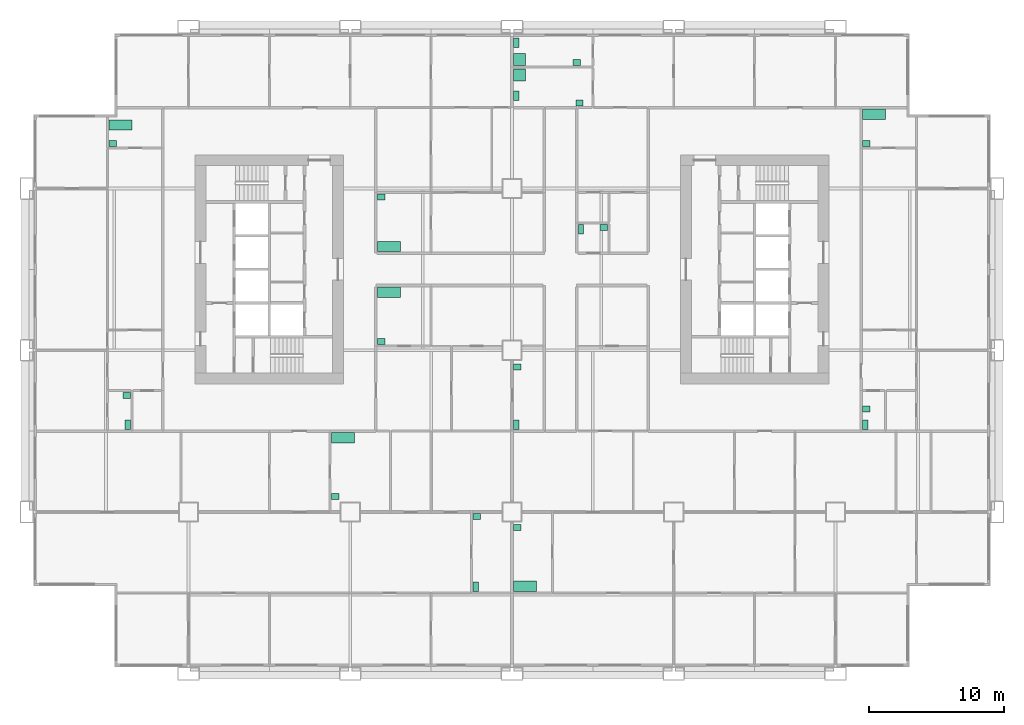
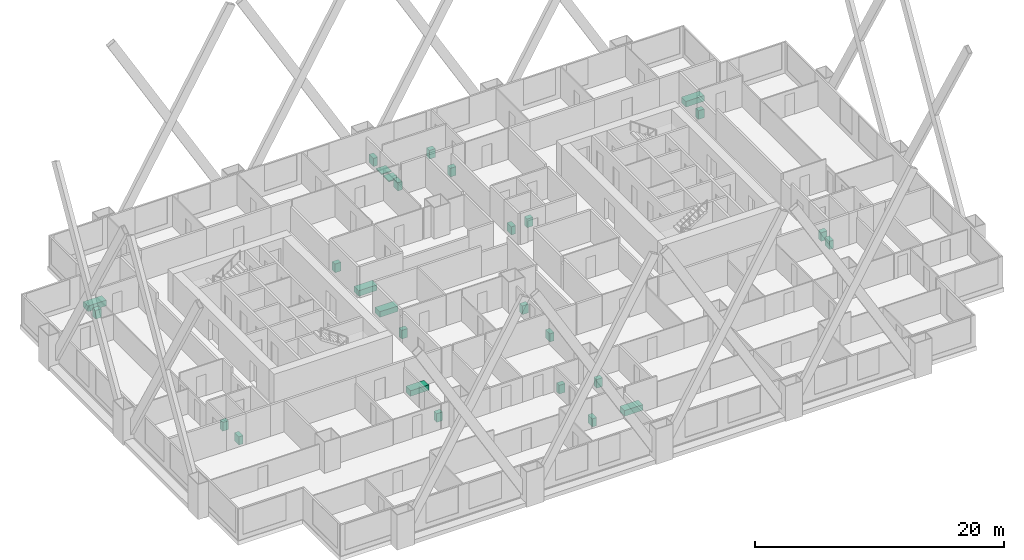
# One storey, part 13 of 13: 28 sanitary terminals.
"""IFC4 building model written with IfcOpenShell, lengths in metres."""

import ifcopenshell
import ifcopenshell.guid

model = None  # the IFC model being written
_history = None  # IfcOwnerHistory: only IFC2X3 demands one
_inside = {}  # id of a spatial element -> (the spatial element, [elements in it])
_under = {}  # id of a project, library or spatial element -> (it, [spatial elements below it])
_declared = {}  # id of a project -> (the project, [libraries it declares])
_typed = {}  # id of a type object -> (the type object, [elements of that type])
_made_of = {}  # id of a material, layer set ... -> (it, [elements and type objects made of it])


def new_model(schema):
    """Start an empty IFC model of exactly this schema.

    Asked for "IFC4X3", IfcOpenShell would pick the latest addendum, in which some entities
    have other attributes; the version numbers below select the first issue.
    IFC2X3 requires an IfcOwnerHistory on every rooted entity: one is made here for all.
    """
    global model, _history
    if schema == "IFC4X3":
        model = ifcopenshell.file(schema_version=(4, 3, 0, 0))
    else:
        model = ifcopenshell.file(schema=schema)
    _inside.clear()
    _under.clear()
    _declared.clear()
    _typed.clear()
    _made_of.clear()
    _history = None
    if model.schema == "IFC2X3":
        org = make("IfcOrganization", Name="unknown")
        user = make(
            "IfcPersonAndOrganization",
            ThePerson=make("IfcPerson", FamilyName="unknown"),
            TheOrganization=org,
        )
        app = make(
            "IfcApplication",
            ApplicationDeveloper=org,
            Version="unknown",
            ApplicationFullName="unknown",
            ApplicationIdentifier="unknown",
        )
        _history = make(
            "IfcOwnerHistory",
            OwningUser=user,
            OwningApplication=app,
            ChangeAction="ADDED",
            CreationDate=0,
        )
    return model


def make(cls, **values):
    """One entity of the class cls with the attributes given. An attribute that is None is left unset."""
    return model.create_entity(
        cls, **{name: value for name, value in values.items() if value is not None}
    )


def rooted(cls, **values):
    """An entity with a GlobalId (a new one), such as an element, a storey or a relation."""
    return make(cls, GlobalId=ifcopenshell.guid.new(), OwnerHistory=_history, **values)


def si_unit(unit_type, name, prefix=None):
    """IfcSIUnit, for example si_unit("LENGTHUNIT", "METRE", prefix="MILLI")."""
    return make("IfcSIUnit", UnitType=unit_type, Prefix=prefix, Name=name)


def assignment(units):
    """IfcUnitAssignment: the units of a project."""
    return None if units is None else make("IfcUnitAssignment", Units=units)


def point(xyz):
    """IfcCartesianPoint."""
    return None if xyz is None else make("IfcCartesianPoint", Coordinates=xyz)


def direction(xyz):
    """IfcDirection."""
    return None if xyz is None else make("IfcDirection", DirectionRatios=xyz)


def frame(location, z_axis=None, x_axis=None):
    """IfcAxis2Placement3D, a coordinate frame: its origin and axes. An axis left out is left unset."""
    return make(
        "IfcAxis2Placement3D",
        Location=point(location),
        Axis=direction(z_axis),
        RefDirection=direction(x_axis),
    )


def frame_2d(location, x_axis=None):
    """IfcAxis2Placement2D, a coordinate frame in the plane: its origin and x axis."""
    return make(
        "IfcAxis2Placement2D", Location=point(location), RefDirection=direction(x_axis)
    )


def origin():
    """The frame at (0, 0, 0) with its axes left unset."""
    return frame((0.0, 0.0, 0.0))


def origin_2d():
    """The frame at (0, 0) in the plane with its x axis left unset."""
    return frame_2d((0.0, 0.0))


def place(relative_to, where):
    """IfcLocalPlacement: puts the frame where relative to a parent placement (None: the world)."""
    return make(
        "IfcLocalPlacement", PlacementRelTo=relative_to, RelativePlacement=where
    )


def context(
    kind, dimensions, precision=None, world=None, true_north=None, identifier=None
):
    """IfcGeometricRepresentationContext, for example the 3D "Model" context."""
    return make(
        "IfcGeometricRepresentationContext",
        ContextIdentifier=identifier,
        ContextType=kind,
        CoordinateSpaceDimension=dimensions,
        Precision=precision,
        WorldCoordinateSystem=world,
        TrueNorth=true_north,
    )


def subcontext(parent, identifier, kind, view, scale=None):
    """IfcGeometricRepresentationSubContext, for example "Body" below "Model"."""
    return make(
        "IfcGeometricRepresentationSubContext",
        ContextIdentifier=identifier,
        ContextType=kind,
        ParentContext=parent,
        TargetScale=scale,
        TargetView=view,
    )


def project(units=None, contexts=None):
    """IfcProject with its units and contexts."""
    return rooted(
        "IfcProject",
        Name="project",
        RepresentationContexts=contexts,
        UnitsInContext=assignment(units),
    )


def spatial(cls, under=None, at=None, **own):
    """A site, building, storey or space (cls), placed at a placement, below another one or the project."""
    s = rooted(cls, ObjectPlacement=at, **own)
    if under is not None:
        _under.setdefault(under.id(), (under, []))[1].append(s)
    return s


def profile(cls, at=None, kind="AREA", **sizes):
    """A parametric profile (cls). Its sizes go by their IFC names, for example OverallWidth=200.0."""
    return make(cls, ProfileType=kind, Position=at, **sizes)


def rectangle(**sizes):
    """IfcRectangleProfileDef."""
    return profile("IfcRectangleProfileDef", **sizes)


def extrude(swept, where, along, depth):
    """IfcExtrudedAreaSolid: the profile swept, set in the frame where, extruded along a direction by depth."""
    return make(
        "IfcExtrudedAreaSolid",
        SweptArea=swept,
        Position=where,
        ExtrudedDirection=direction(along),
        Depth=depth,
    )


def shape(context_of_items, identifier, shape_type, items):
    """IfcShapeRepresentation: the items that make up one representation, for example the "Body"."""
    return make(
        "IfcShapeRepresentation",
        ContextOfItems=context_of_items,
        RepresentationIdentifier=identifier,
        RepresentationType=shape_type,
        Items=items,
    )


def material(Name=None, Category=None):
    """IfcMaterial."""
    return make("IfcMaterial", Name=Name, Category=Category)


def made_of(thing, what):
    """Note that an element or type object is made of a material, layer set ...; save() writes the relation."""
    if what is not None:
        _made_of.setdefault(what.id(), (what, []))[1].append(thing)
    return thing


def type_object(cls, material=None, **own):
    """A type object (cls), such as IfcWallType, which elements share."""
    return made_of(rooted(cls, **own), material)


def element(
    cls,
    number,
    at=None,
    inside=None,
    cuts=None,
    type_object=None,
    material=None,
    context=None,
    identifier="Body",
    shape_type=None,
    held_by="IfcProductDefinitionShape",
    body=None,
    shapes=None,
    **own,
):
    """One element of the class cls, such as IfcWall. Its Tag is "e" and its number.

    at: its placement. inside: the storey or other place that contains it. cuts: it is an
    opening in that element (IfcRelVoidsElement). A single representation is given by context,
    identifier, shape_type and body (its items); several are given by shapes. held_by: the class
    of the entity that holds the representations. save() writes the other relations.
    """
    e = rooted(cls, Tag="e%d" % number, ObjectPlacement=at, **own)
    if body is not None:
        shapes = [shape(context, identifier, shape_type, body)]
    if shapes is not None:
        e.Representation = make(held_by, Representations=shapes)
    if inside is not None:
        _inside.setdefault(inside.id(), (inside, []))[1].append(e)
    if cuts is not None:
        rooted(
            "IfcRelVoidsElement", RelatingBuildingElement=cuts, RelatedOpeningElement=e
        )
    if type_object is not None:
        _typed.setdefault(type_object.id(), (type_object, []))[1].append(e)
    return made_of(e, material)


def aggregate(whole, parts):
    """IfcRelAggregates: a whole, such as a stair, and the parts it consists of."""
    return rooted("IfcRelAggregates", RelatingObject=whole, RelatedObjects=parts)


def save(model, path):
    """Write the relations noted so far, then the file.

    IfcRelAggregates (storeys below a building ...), IfcRelContainedInSpatialStructure (elements
    in a storey), IfcRelDefinesByType, IfcRelAssociatesMaterial and IfcRelDeclares: one each for
    every whole, place, type object, material and project.
    """
    for whole, parts in _under.values():
        aggregate(whole, parts)
    for where, things in _inside.values():
        rooted(
            "IfcRelContainedInSpatialStructure",
            RelatedElements=things,
            RelatingStructure=where,
        )
    for kind, things in _typed.values():
        rooted("IfcRelDefinesByType", RelatedObjects=things, RelatingType=kind)
    for what, things in _made_of.values():
        rooted("IfcRelAssociatesMaterial", RelatedObjects=things, RelatingMaterial=what)
    for by, libraries in _declared.values():
        rooted("IfcRelDeclares", RelatingContext=by, RelatedDefinitions=libraries)
    model.write(path)


model = new_model("IFC4")

# Units and contexts
model_context = context("Model", 3, precision=1e-05, world=origin(), true_north=direction((0.0, 1.0)))
body_context = subcontext(model_context, "Body", "Model", "MODEL_VIEW")
ifc_project = project(units=[si_unit("LENGTHUNIT", "METRE"), si_unit("AREAUNIT", "SQUARE_METRE"), si_unit("VOLUMEUNIT", "CUBIC_METRE"), si_unit("PLANEANGLEUNIT", "RADIAN"), si_unit("MASSUNIT", "GRAM", prefix="KILO")], contexts=[model_context])

# Site, building, storey
site_placement = place(None, origin())
site = spatial("IfcSite", under=ifc_project, at=site_placement, CompositionType="ELEMENT")
building_placement = place(site_placement, origin())
building = spatial("IfcBuilding", under=site, at=building_placement, Name="Kitamizu Gate Tower and Museum", CompositionType="ELEMENT")
storey_placement = place(building_placement, frame((0.0, 0.0, 71.39990234375)))
storey = spatial("IfcBuildingStorey", under=building, at=storey_placement, Name="L17", CompositionType="ELEMENT", Elevation=71.39990234375)

# Sanitary terminals
ifc_material_1 = material(Name="Acrylic")
sanitary_terminal_type_1 = type_object("IfcSanitaryTerminalType", Name="Bath", PredefinedType="BATH", material=ifc_material_1)
for number, where, z_axis, x_axis, name in (
    (1, (23.469970703125, 17.5048828125, 0.0009765625), (0.0, 0.0, 1.0), (1.0, 0.0, 0.0), "Bath Bathroom 17A"),
    (2, (26.8701171875, 28.304931640625, 0.0009765625), (0.0, 0.0, 1.0), (1.0, 0.0, 0.0), "Bath Bathroom 17A"),
    (3, (6.969970703125, 40.705078125, 0.0009765625), (0.0, 0.0, 1.0), (1.0, 0.0, 0.0), "Bath Bathroom 17B"),
    (4, (36.969970703125, 6.4951171875, 0.0009765625), (0.0, 0.0, 1.0), (1.0, 0.0, 0.0), "Bath Bathroom and WC 17C"),
    (5, (62.8701171875, 41.5048828125, 0.0009765625), (0.0, 0.0, 1.0), (1.0, 0.0, 0.0), "Bath Bathroom 17D"),
    (6, (26.8701171875, 31.695068359375, 0.0009765625), (0.0, 0.0, 1.0), (1.0, 0.0, 0.0), "Bath Bathroom and WC 17E"),
):
    element("IfcSanitaryTerminal", number, at=place(storey_placement, frame(where, z_axis=z_axis, x_axis=x_axis)), inside=storey, type_object=sanitary_terminal_type_1, Name=name, PredefinedType="BATH", context=body_context, shape_type="SweptSolid", body=[
        extrude(rectangle(XDim=1.699951171875, YDim=0.75, at=origin_2d()), origin(), (0.0, 0.0, 1.0), 0.550048828125),
    ])
ifc_material_2 = material(Name="Acrylic")
sanitary_terminal_type_2 = type_object("IfcSanitaryTerminalType", Name="Shower tray", PredefinedType="SHOWER", material=ifc_material_2)
for number, where, z_axis, x_axis, name in (
    (7, (36.570068359375, 44.429931640625, 0.0009765625), (0.0, 0.0, 1.0), (1.0, 0.0, 0.0), "Shower tray En-suite bathroom 17F"),
    (8, (36.570068359375, 45.570068359375, 0.0009765625), (0.0, 0.0, 1.0), (1.0, 0.0, 0.0), "Shower tray En-suite bathroom 17F"),
):
    element("IfcSanitaryTerminal", number, at=place(storey_placement, frame(where, z_axis=z_axis, x_axis=x_axis)), inside=storey, type_object=sanitary_terminal_type_2, Name=name, PredefinedType="SHOWER", context=body_context, shape_type="SweptSolid", body=[
        extrude(rectangle(XDim=0.89990234375, YDim=0.89990234375, at=origin_2d()), origin(), (0.0, 0.0, 1.0), 0.10009765625),
    ])
ifc_material_3 = material(Name="Vitreous china")
sanitary_terminal_type_3 = type_object("IfcSanitaryTerminalType", Name="Wash hand basin", PredefinedType="WASHHANDBASIN", material=ifc_material_3)
for number, where, z_axis, x_axis, name in (
    (9, (33.39501953125, 11.655029296875, 0.0009765625), (0.0, 0.0, 1.0), (1.0, 0.0, 0.0), "Wash hand basin WC 17A"),
    (10, (22.89501953125, 13.14501953125, 0.0009765625), (0.0, 0.0, 1.0), (1.0, 0.0, 0.0), "Wash hand basin Bathroom 17A"),
    (11, (36.39501953125, 22.7548828125, 0.0009765625), (0.0, 0.0, 1.0), (1.0, 0.0, 0.0), "Wash hand basin WC 17A"),
    (12, (26.294921875, 24.64501953125, 0.0009765625), (0.0, 0.0, 1.0), (1.0, 0.0, 0.0), "Wash hand basin Bathroom 17A"),
    (13, (7.405029296875, 20.655029296875, 0.0009765625), (0.0, 0.0, 1.0), (1.0, 0.0, 0.0), "Wash hand basin WC 17B"),
    (14, (6.39501953125, 39.344970703125, 0.0009765625), (0.0, 0.0, 1.0), (1.0, 0.0, 0.0), "Wash hand basin Bathroom 17B"),
    (15, (36.39501953125, 10.85498046875, 0.0009765625), (0.0, 0.0, 1.0), (1.0, 0.0, 0.0), "Wash hand basin Bathroom and WC 17C"),
    (16, (62.294921875, 19.655029296875, 0.0009765625), (0.0, 0.0, 1.0), (1.0, 0.0, 0.0), "Wash hand basin WC 17D"),
    (17, (62.294921875, 39.344970703125, 0.0009765625), (0.0, 0.0, 1.0), (1.0, 0.0, 0.0), "Wash hand basin Bathroom 17D"),
    (18, (26.294921875, 35.35498046875, 0.0009765625), (0.0, 0.0, 1.0), (1.0, 0.0, 0.0), "Wash hand basin Bathroom and WC 17E"),
    (19, (41.0048828125, 42.344970703125, 0.0009765625), (0.0, 0.0, 1.0), (1.0, 0.0, 0.0), "Wash hand basin En-suite bathroom 17F"),
    (20, (40.804931640625, 45.344970703125, 0.0009765625), (0.0, 0.0, 1.0), (1.0, 0.0, 0.0), "Wash hand basin En-suite bathroom 17F"),
    (21, (42.804931640625, 33.10498046875, 0.0009765625), (0.0, 0.0, 1.0), (1.0, 0.0, 0.0), "Wash hand basin WC 17F"),
):
    element("IfcSanitaryTerminal", number, at=place(storey_placement, frame(where, z_axis=z_axis, x_axis=x_axis)), inside=storey, type_object=sanitary_terminal_type_3, Name=name, PredefinedType="WASHHANDBASIN", context=body_context, shape_type="SweptSolid", body=[
        extrude(rectangle(XDim=0.550048828125, YDim=0.449951171875, at=origin_2d()), origin(), (0.0, 0.0, 1.0), 0.85009765625),
    ])
ifc_material_4 = material(Name="Vitreous china")
sanitary_terminal_type_4 = type_object("IfcSanitaryTerminalType", Name="Water closet", PredefinedType="TOILETPAN", material=ifc_material_4)
for number, where, z_axis, x_axis, name in (
    (22, (33.320068359375, 6.469970703125, 0.0009765625), (0.0, 0.0, 1.0), (1.0, 0.0, 0.0), "Water closet WC 17A"),
    (23, (36.320068359375, 18.469970703125, 0.0009765625), (0.0, 0.0, 1.0), (1.0, 0.0, 0.0), "Water closet WC 17A"),
    (24, (7.47998046875, 18.469970703125, 0.0009765625), (0.0, 0.0, 1.0), (1.0, 0.0, 0.0), "Water closet WC 17B"),
    (25, (62.219970703125, 18.469970703125, 0.0009765625), (0.0, 0.0, 1.0), (1.0, 0.0, 0.0), "Water closet WC 17D"),
    (26, (36.320068359375, 42.8701171875, 0.0009765625), (0.0, 0.0, 1.0), (1.0, 0.0, 0.0), "Water closet En-suite bathroom 17F"),
    (27, (36.320068359375, 46.81005859375, 0.0009765625), (0.0, 0.0, 1.0), (1.0, 0.0, 0.0), "Water closet En-suite bathroom 17F"),
    (28, (41.1201171875, 32.97998046875, 0.0009765625), (0.0, 0.0, 1.0), (1.0, 0.0, 0.0), "Water closet WC 17F"),
):
    element("IfcSanitaryTerminal", number, at=place(storey_placement, frame(where, z_axis=z_axis, x_axis=x_axis)), inside=storey, type_object=sanitary_terminal_type_4, Name=name, PredefinedType="TOILETPAN", context=body_context, shape_type="SweptSolid", body=[
        extrude(rectangle(XDim=0.39990234375, YDim=0.699951171875, at=origin_2d()), origin(), (0.0, 0.0, 1.0), 0.800048828125),
    ])

save(model, "model.ifc")
